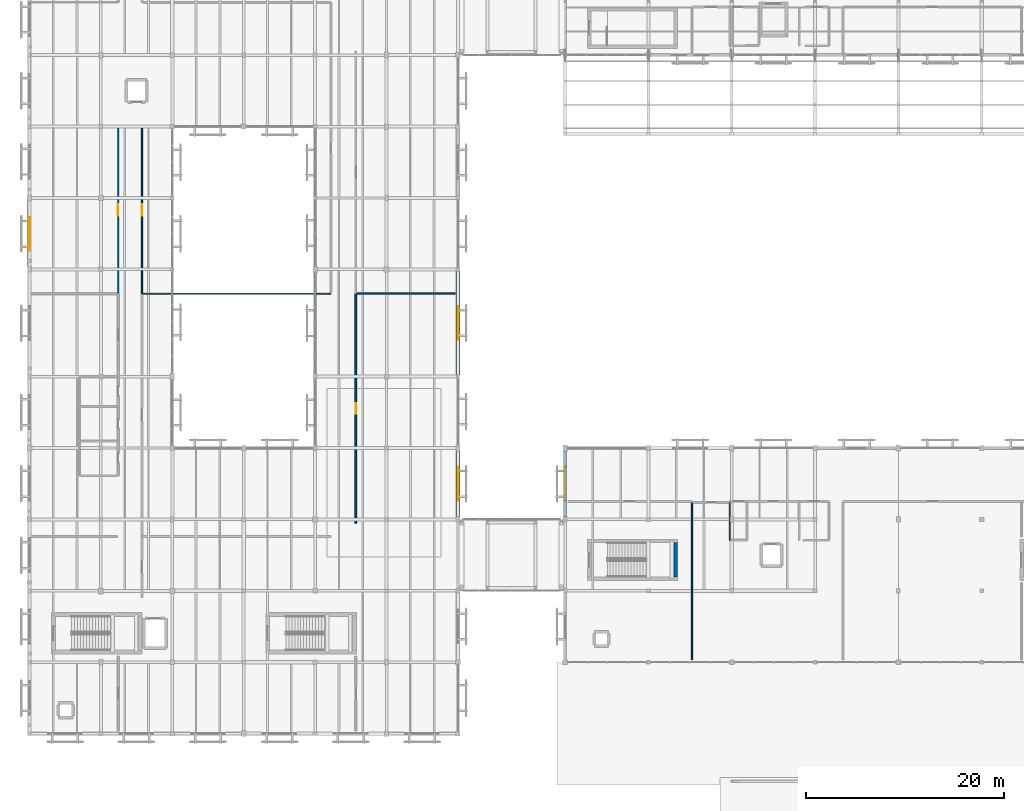
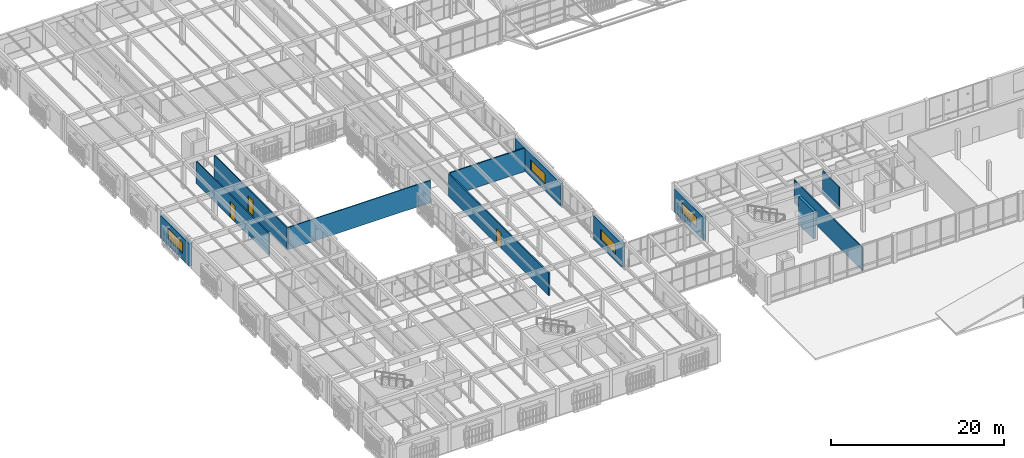
# One storey, part 177 of 217: 12 walls, 4 windows, 3 doors, 7 openings.
"""IFC4 building model written with IfcOpenShell, lengths in metres."""

from ifc_helpers import new_model, si_unit, direction, frame, frame_2d, origin, place, context, subcontext, project, spatial, rectangle, extrude, material, layer, layer_set, type_object, element, fill, save


model = new_model("IFC4")

# Units and contexts
model_context = context("Model", 3, precision=1e-05, world=origin(), true_north=direction((0.0, 1.0)))
body_context = subcontext(model_context, "Body", "Model", "MODEL_VIEW")
ifc_project = project(units=[si_unit("LENGTHUNIT", "METRE"), si_unit("AREAUNIT", "SQUARE_METRE"), si_unit("VOLUMEUNIT", "CUBIC_METRE"), si_unit("PLANEANGLEUNIT", "RADIAN"), si_unit("MASSUNIT", "GRAM", prefix="KILO")], contexts=[model_context])

# Site, building, storey
site_placement = place(None, origin())
site = spatial("IfcSite", under=ifc_project, at=site_placement, CompositionType="ELEMENT")
building_placement = place(site_placement, origin())
building = spatial("IfcBuilding", under=site, at=building_placement, Name="Mazaris Harbour Polytechnic", CompositionType="ELEMENT")
storey_placement = place(building_placement, frame((0.0, 0.0, 9.60009765625)))
storey = spatial("IfcBuildingStorey", under=building, at=storey_placement, Name="L02", CompositionType="ELEMENT", Elevation=9.60009765625)

# Walls
ifc_material_1 = material(Name="Gypsum Board and Mineral Wool")
ifc_layer_1 = layer(ifc_material_1, 0.1201171875, Name="Gypsum Board and Mineral Wool")
ifc_layer_set_1 = layer_set([ifc_layer_1], Name="Gypsum Board and Mineral Wool")
wall_type_1 = type_object("IfcWallType", Name="Acoustic Stud Partition 120", PredefinedType="PARTITIONING", material=ifc_layer_set_1)
wall_1_placement = place(storey_placement, frame((11.469970703125, 51.552978515625, 0.0), z_axis=(0.0, 0.0, 1.0), x_axis=(1.0, 0.0, 0.0)))
element("IfcWall", 1, at=wall_1_placement, inside=storey, type_object=wall_type_1, Name="V4 L02 Partition 389", PredefinedType="PARTITIONING", context=body_context, shape_type="SweptSolid", body=[
    extrude(rectangle(XDim=18.909912109375, YDim=0.1201171875, at=frame_2d((9.455078125, 0.0))), origin(), (0.0, 0.0, 1.0), 3.14990234375),
])
ifc_material_2 = material(Name="Double Gypsum and Mineral Wool")
ifc_layer_2 = layer(ifc_material_2, 0.14990234375, Name="Double Gypsum and Mineral Wool")
ifc_layer_set_2 = layer_set([ifc_layer_2], Name="Double Gypsum and Mineral Wool")
wall_type_2 = type_object("IfcWallType", Name="Classroom Acoustic Partition 150", PredefinedType="PARTITIONING", material=ifc_layer_set_2)
wall_2_placement = place(storey_placement, frame((33.02001953125, 51.552978515625, 0.0), z_axis=(0.0, 0.0, 1.0), x_axis=(1.0, 0.0, 0.0)))
element("IfcWall", 2, at=wall_2_placement, inside=storey, type_object=wall_type_2, Name="V4 L02 Partition 395", PredefinedType="PARTITIONING", context=body_context, shape_type="SweptSolid", body=[
    extrude(rectangle(XDim=9.929931640625, YDim=0.14990234375, at=frame_2d((4.96484375, 0.0))), origin(), (0.0, 0.0, 1.0), 3.309814453125),
])

# Wall, opening, door
ifc_material_3 = material(Name="Fireboard and Mineral Wool")
ifc_layer_3 = layer(ifc_material_3, 0.1650390625, Name="Fireboard and Mineral Wool")
ifc_layer_set_3 = layer_set([ifc_layer_3], Name="Fireboard and Mineral Wool")
wall_type_3 = type_object("IfcWallType", Name="Laboratory Rated Partition 165", PredefinedType="PARTITIONING", material=ifc_layer_set_3)
wall_3_placement = place(storey_placement, frame((32.89990234375, 28.419921875, 0.0), z_axis=(0.0, 0.0, 1.0), x_axis=(0.0, 1.0, 0.0)))
wall_3 = element("IfcWall", 3, at=wall_3_placement, inside=storey, type_object=wall_type_3, Name="V4 L02 Partition 394", PredefinedType="PARTITIONING", context=body_context, shape_type="SweptSolid", body=[
    extrude(rectangle(XDim=23.133056640625, YDim=0.1650390625, at=frame_2d((11.56640625, 0.0))), origin(), (0.0, 0.0, 1.0), 3.2099609375),
])
opening_1_placement = place(wall_3_placement, frame((11.04150390625, 0.0, 0.0)))
opening_1 = element("IfcOpeningElement", 4, at=opening_1_placement, cuts=wall_3, Name="Opening ID-02L", PredefinedType="OPENING", context=body_context, shape_type="SweptSolid", body=[
    extrude(rectangle(XDim=1.050048828125, YDim=2.199951171875, at=frame_2d((0.52490234375, 1.10009765625))), frame((0.0, 0.092529296875, 0.0), z_axis=(0.0, -1.0, 0.0), x_axis=(1.0, 0.0, 0.0)), (0.0, 0.0, 1.0), 0.18505859375),
])
ifc_material_4 = material(Name="Solid Timber and Vision Panel", Category="wood")
door_type_1 = type_object("IfcDoorType", Name="Laboratory Fire Door LH 1050x2200", OperationType="SINGLE_SWING_LEFT", PredefinedType="DOOR", material=ifc_material_4)
door_1_placement = place(opening_1_placement, origin())
door_1 = element("IfcDoor", 5, at=door_1_placement, inside=storey, type_object=door_type_1, Name="ID-0186", OperationType="SINGLE_SWING_LEFT", OverallHeight=2.199951171875, OverallWidth=1.050048828125, PredefinedType="DOOR", context=body_context, shape_type="SweptSolid", body=[
    extrude(rectangle(XDim=1.050048828125, YDim=2.199951171875, at=frame_2d((0.52490234375, 1.10009765625))), frame((0.0, 0.02490234375, 0.0), z_axis=(0.0, -1.0, 0.0), x_axis=(1.0, 0.0, 0.0)), (0.0, 0.0, 1.0), 0.050048828125),
])
fill(opening_1, door_1)

# Wall, opening, window
ifc_material_5 = material(Name="Algerian Buff Limestone and Concrete C30/37", Category="masonry")
ifc_layer_4 = layer(ifc_material_5, 0.360107421875, Name="Algerian Buff Limestone and Concrete C30/37")
ifc_layer_set_4 = layer_set([ifc_layer_4], Name="Algerian Buff Limestone and Concrete C30/37")
wall_type_4 = type_object("IfcWallType", Name="Limestone Ashlar Exterior Wall 360", PredefinedType="STANDARD", material=ifc_layer_set_4)
wall_4_placement = place(storey_placement, frame((0.0, 54.261962890625, 0.0), z_axis=(0.0, 0.0, 1.0), x_axis=(0.0, 1.0, 0.0)))
wall_4 = element("IfcWall", 6, at=wall_4_placement, inside=storey, type_object=wall_type_4, Name="V4 L02 Exterior Wall 205", PredefinedType="STANDARD", context=body_context, shape_type="SweptSolid", body=[
    extrude(rectangle(XDim=6.64599609375, YDim=0.360107421875, at=frame_2d((3.322998046875, 0.0))), origin(), (0.0, 0.0, 1.0), 3.2099609375),
])
opening_2_placement = place(wall_4_placement, frame((1.623046875, 0.0, 0.89990234375)))
opening_2 = element("IfcOpeningElement", 7, at=opening_2_placement, cuts=wall_4, Name="Opening WN-16", PredefinedType="OPENING", context=body_context, shape_type="SweptSolid", body=[
    extrude(rectangle(XDim=3.39990234375, YDim=1.5, at=frame_2d((1.699951171875, 0.75))), frame((0.0, 0.18994140625, 0.0), z_axis=(0.0, -1.0, 0.0), x_axis=(1.0, 0.0, 0.0)), (0.0, 0.0, 1.0), 0.380126953125),
])
ifc_material_6 = material(Name="Thermally Broken Bronze Aluminium and Low-E Glass", Category="aluminium")
window_type = type_object("IfcWindowType", Name="Workshop Clerestory Ribbon 3400x1500", PartitioningType="DOUBLE_PANEL_VERTICAL", PredefinedType="WINDOW", material=ifc_material_6)
window_1_placement = place(opening_2_placement, origin())
window_1 = element("IfcWindow", 8, at=window_1_placement, inside=storey, type_object=window_type, Name="WN-0207", OverallHeight=1.5, OverallWidth=3.39990234375, PartitioningType="DOUBLE_PANEL_VERTICAL", PredefinedType="WINDOW", context=body_context, shape_type="SweptSolid", body=[
    extrude(rectangle(XDim=3.39990234375, YDim=1.5, at=frame_2d((1.699951171875, 0.75))), frame((0.0, 0.030029296875, 0.0), z_axis=(0.0, -1.0, 0.0), x_axis=(1.0, 0.0, 0.0)), (0.0, 0.0, 1.0), 0.06005859375),
])
fill(opening_2, window_1)

wall_5_placement = place(storey_placement, frame((43.199951171875, 35.7080078125, 0.0), z_axis=(0.0, 0.0, 1.0), x_axis=(0.0, -1.0, 0.0)))
wall_5 = element("IfcWall", 9, at=wall_5_placement, inside=storey, type_object=wall_type_4, Name="V4 L02 Exterior Wall 212", PredefinedType="STANDARD", context=body_context, shape_type="SweptSolid", body=[
    extrude(rectangle(XDim=6.64599609375, YDim=0.360107421875, at=frame_2d((3.322998046875, 0.0))), origin(), (0.0, 0.0, 1.0), 3.309814453125),
])
opening_3_placement = place(wall_5_placement, frame((1.623046875, 0.0, 0.89990234375)))
opening_3 = element("IfcOpeningElement", 10, at=opening_3_placement, cuts=wall_5, Name="Opening WN-16", PredefinedType="OPENING", context=body_context, shape_type="SweptSolid", body=[
    extrude(rectangle(XDim=3.39990234375, YDim=1.5, at=frame_2d((1.699951171875, 0.75))), frame((0.0, 0.18994140625, 0.0), z_axis=(0.0, -1.0, 0.0), x_axis=(1.0, 0.0, 0.0)), (0.0, 0.0, 1.0), 0.380126953125),
])
window_2_placement = place(opening_3_placement, origin())
window_2 = element("IfcWindow", 11, at=window_2_placement, inside=storey, type_object=window_type, Name="WN-0214", OverallHeight=1.5, OverallWidth=3.39990234375, PartitioningType="DOUBLE_PANEL_VERTICAL", PredefinedType="WINDOW", context=body_context, shape_type="SweptSolid", body=[
    extrude(rectangle(XDim=3.39990234375, YDim=1.5, at=frame_2d((1.699951171875, 0.75))), frame((0.0, 0.030029296875, 0.0), z_axis=(0.0, -1.0, 0.0), x_axis=(1.0, 0.0, 0.0)), (0.0, 0.0, 1.0), 0.06005859375),
])
fill(opening_3, window_2)

wall_6_placement = place(storey_placement, frame((43.199951171875, 53.818115234375, 0.0), z_axis=(0.0, 0.0, 1.0), x_axis=(0.0, -1.0, 0.0)))
wall_6 = element("IfcWall", 12, at=wall_6_placement, inside=storey, type_object=wall_type_4, Name="V4 L02 Exterior Wall 213", PredefinedType="STANDARD", context=body_context, shape_type="SweptSolid", body=[
    extrude(rectangle(XDim=10.4560546875, YDim=0.360107421875, at=frame_2d((5.22802734375, 0.0))), origin(), (0.0, 0.0, 1.0), 3.2099609375),
])
opening_4_placement = place(wall_6_placement, frame((3.528076171875, 0.0, 0.89990234375)))
opening_4 = element("IfcOpeningElement", 13, at=opening_4_placement, cuts=wall_6, Name="Opening WN-16", PredefinedType="OPENING", context=body_context, shape_type="SweptSolid", body=[
    extrude(rectangle(XDim=3.39990234375, YDim=1.5, at=frame_2d((1.699951171875, 0.75))), frame((0.0, 0.18994140625, 0.0), z_axis=(0.0, -1.0, 0.0), x_axis=(1.0, 0.0, 0.0)), (0.0, 0.0, 1.0), 0.380126953125),
])
window_3_placement = place(opening_4_placement, origin())
window_3 = element("IfcWindow", 14, at=window_3_placement, inside=storey, type_object=window_type, Name="WN-0215", OverallHeight=1.5, OverallWidth=3.39990234375, PartitioningType="DOUBLE_PANEL_VERTICAL", PredefinedType="WINDOW", context=body_context, shape_type="SweptSolid", body=[
    extrude(rectangle(XDim=3.39990234375, YDim=1.5, at=frame_2d((1.699951171875, 0.75))), frame((0.0, 0.030029296875, 0.0), z_axis=(0.0, -1.0, 0.0), x_axis=(1.0, 0.0, 0.0)), (0.0, 0.0, 1.0), 0.06005859375),
])
fill(opening_4, window_3)

ifc_material_7 = material(Name="Algerian Buff Limestone and Mineral Wool", Category="masonry")
ifc_layer_5 = layer(ifc_material_7, 0.330078125, Name="Algerian Buff Limestone and Mineral Wool")
ifc_layer_set_5 = layer_set([ifc_layer_5], Name="Algerian Buff Limestone and Mineral Wool")
wall_type_5 = type_object("IfcWallType", Name="Limestone Cavity Wall 330", PredefinedType="STANDARD", material=ifc_layer_set_5)
wall_7_placement = place(storey_placement, frame((54.0, 29.06201171875, 0.0), z_axis=(0.0, 0.0, 1.0), x_axis=(0.0, 1.0, 0.0)))
wall_7 = element("IfcWall", 15, at=wall_7_placement, inside=storey, type_object=wall_type_5, Name="V3 L02 Exterior Wall 121", PredefinedType="STANDARD", context=body_context, shape_type="SweptSolid", body=[
    extrude(rectangle(XDim=6.64599609375, YDim=0.330078125, at=frame_2d((3.322998046875, 0.0))), origin(), (0.0, 0.0, 1.0), 3.294921875),
])
opening_5_placement = place(wall_7_placement, frame((1.623046875, 0.0, 0.89990234375)))
opening_5 = element("IfcOpeningElement", 16, at=opening_5_placement, cuts=wall_7, Name="Opening WN-16", PredefinedType="OPENING", context=body_context, shape_type="SweptSolid", body=[
    extrude(rectangle(XDim=3.39990234375, YDim=1.5, at=frame_2d((1.699951171875, 0.75))), frame((0.0, 0.175048828125, 0.0), z_axis=(0.0, -1.0, 0.0), x_axis=(1.0, 0.0, 0.0)), (0.0, 0.0, 1.0), 0.35009765625),
])
window_4_placement = place(opening_5_placement, origin())
window_4 = element("IfcWindow", 17, at=window_4_placement, inside=storey, type_object=window_type, Name="WN-0128", OverallHeight=1.5, OverallWidth=3.39990234375, PartitioningType="DOUBLE_PANEL_VERTICAL", PredefinedType="WINDOW", context=body_context, shape_type="SweptSolid", body=[
    extrude(rectangle(XDim=3.39990234375, YDim=1.5, at=frame_2d((1.699951171875, 0.75))), frame((0.0, 0.030029296875, 0.0), z_axis=(0.0, -1.0, 0.0), x_axis=(1.0, 0.0, 0.0)), (0.0, 0.0, 1.0), 0.06005859375),
])
fill(opening_5, window_4)

# Walls
ifc_material_8 = material(Name="Concrete C40/50", Category="concrete")
ifc_layer_6 = layer(ifc_material_8, 0.35009765625, Name="Concrete C40/50")
ifc_layer_set_6 = layer_set([ifc_layer_6], Name="Concrete C40/50")
wall_type_6 = type_object("IfcWallType", Name="RC Core Shear Wall 350", PredefinedType="SHEAR", material=ifc_layer_set_6)
wall_8_placement = place(storey_placement, frame((65.175048828125, 23.0, 0.0), z_axis=(0.0, 0.0, 1.0), x_axis=(0.0, 1.0, 0.0)))
element("IfcWall", 18, at=wall_8_placement, inside=storey, type_object=wall_type_6, Name="Core ST05 L02 Shear Wall E", PredefinedType="SHEAR", context=body_context, shape_type="SweptSolid", body=[
    extrude(rectangle(XDim=3.449951171875, YDim=0.35009765625, at=frame_2d((1.72509765625, 0.0))), origin(), (0.0, 0.0, 1.0), 3.934814453125),
])
ifc_material_9 = material(Name="Moisture-Resistant Gypsum and Steel Stud", Category="steel")
ifc_layer_7 = layer(ifc_material_9, 0.14501953125, Name="Moisture-Resistant Gypsum and Steel Stud")
ifc_layer_set_7 = layer_set([ifc_layer_7], Name="Moisture-Resistant Gypsum and Steel Stud")
wall_type_7 = type_object("IfcWallType", Name="Sanitary Plumbing Wall 145", PredefinedType="PLUMBINGWALL", material=ifc_layer_set_7)
wall_9_placement = place(storey_placement, frame((70.60009765625, 26.699951171875, 0.0), z_axis=(0.0, 0.0, 1.0), x_axis=(0.0, 1.0, 0.0)))
element("IfcWall", 19, at=wall_9_placement, inside=storey, type_object=wall_type_7, Name="V3 L02 Partition 221", PredefinedType="PLUMBINGWALL", context=body_context, shape_type="SweptSolid", body=[
    extrude(rectangle(XDim=3.780029296875, YDim=0.14501953125, at=frame_2d((1.89013671875, 0.0))), origin(), (0.0, 0.0, 1.0), 3.19482421875),
])
ifc_material_10 = material(Name="Gypsum Board and Mineral Wool")
ifc_layer_8 = layer(ifc_material_10, 0.135009765625, Name="Gypsum Board and Mineral Wool")
ifc_layer_set_8 = layer_set([ifc_layer_8], Name="Gypsum Board and Mineral Wool")
wall_type_8 = type_object("IfcWallType", Name="Studio Partition Wall 135", PredefinedType="PARTITIONING", material=ifc_layer_set_8)
wall_10_placement = place(storey_placement, frame((66.7890625, 14.64990234375, 0.0), z_axis=(0.0, 0.0, 1.0), x_axis=(0.0, 1.0, 0.0)))
element("IfcWall", 20, at=wall_10_placement, inside=storey, type_object=wall_type_8, Name="V3 L02 Partition 227", PredefinedType="PARTITIONING", context=body_context, shape_type="SweptSolid", body=[
    extrude(rectangle(XDim=15.830078125, YDim=0.135009765625, at=frame_2d((7.9150390625, 0.0))), origin(), (0.0, 0.0, 1.0), 3.2548828125),
])

# Wall, opening, door
wall_11_placement = place(storey_placement, frame((8.949951171875, 51.55810546875, 0.0), z_axis=(0.0, 0.0, 1.0), x_axis=(0.0, 1.0, 0.0)))
wall_11 = element("IfcWall", 21, at=wall_11_placement, inside=storey, type_object=wall_type_8, Name="V4 L02 Partition 383", PredefinedType="PARTITIONING", context=body_context, shape_type="SweptSolid", body=[
    extrude(rectangle(XDim=16.8369140625, YDim=0.135009765625, at=frame_2d((8.41845703125, 0.0))), origin(), (0.0, 0.0, 1.0), 3.14990234375),
])
opening_6_placement = place(wall_11_placement, frame((7.83837890625, 0.0, 0.0)))
opening_6 = element("IfcOpeningElement", 22, at=opening_6_placement, cuts=wall_11, Name="Opening ID-03R", PredefinedType="OPENING", context=body_context, shape_type="SweptSolid", body=[
    extrude(rectangle(XDim=1.159912109375, YDim=2.199951171875, at=frame_2d((0.580078125, 1.10009765625))), frame((0.0, 0.077392578125, 0.0), z_axis=(0.0, -1.0, 0.0), x_axis=(1.0, 0.0, 0.0)), (0.0, 0.0, 1.0), 0.155029296875),
])
ifc_material_11 = material(Name="Glulam Timber and Acoustic Glass", Category="wood")
door_type_2 = type_object("IfcDoorType", Name="Design Studio Door RH 1160x2200", OperationType="SINGLE_SWING_RIGHT", PredefinedType="DOOR", material=ifc_material_11)
door_2_placement = place(opening_6_placement, origin())
door_2 = element("IfcDoor", 23, at=door_2_placement, inside=storey, type_object=door_type_2, Name="ID-0179", OperationType="SINGLE_SWING_RIGHT", OverallHeight=2.199951171875, OverallWidth=1.159912109375, PredefinedType="DOOR", context=body_context, shape_type="SweptSolid", body=[
    extrude(rectangle(XDim=1.159912109375, YDim=2.199951171875, at=frame_2d((0.580078125, 1.10009765625))), frame((0.0, 0.02490234375, 0.0), z_axis=(0.0, -1.0, 0.0), x_axis=(1.0, 0.0, 0.0)), (0.0, 0.0, 1.0), 0.050048828125),
])
fill(opening_6, door_2)

wall_12_placement = place(storey_placement, frame((11.35009765625, 51.55810546875, 0.0), z_axis=(0.0, 0.0, 1.0), x_axis=(0.0, 1.0, 0.0)))
wall_12 = element("IfcWall", 24, at=wall_12_placement, inside=storey, type_object=wall_type_8, Name="V4 L02 Partition 390", PredefinedType="PARTITIONING", context=body_context, shape_type="SweptSolid", body=[
    extrude(rectangle(XDim=16.8369140625, YDim=0.135009765625, at=frame_2d((8.41845703125, 0.0))), origin(), (0.0, 0.0, 1.0), 3.14990234375),
])
opening_7_placement = place(wall_12_placement, frame((7.83837890625, 0.0, 0.0)))
opening_7 = element("IfcOpeningElement", 25, at=opening_7_placement, cuts=wall_12, Name="Opening ID-03R", PredefinedType="OPENING", context=body_context, shape_type="SweptSolid", body=[
    extrude(rectangle(XDim=1.159912109375, YDim=2.199951171875, at=frame_2d((0.580078125, 1.10009765625))), frame((0.0, 0.077392578125, 0.0), z_axis=(0.0, -1.0, 0.0), x_axis=(1.0, 0.0, 0.0)), (0.0, 0.0, 1.0), 0.155029296875),
])
door_3_placement = place(opening_7_placement, origin())
door_3 = element("IfcDoor", 26, at=door_3_placement, inside=storey, type_object=door_type_2, Name="ID-0183", OperationType="SINGLE_SWING_RIGHT", OverallHeight=2.199951171875, OverallWidth=1.159912109375, PredefinedType="DOOR", context=body_context, shape_type="SweptSolid", body=[
    extrude(rectangle(XDim=1.159912109375, YDim=2.199951171875, at=frame_2d((0.580078125, 1.10009765625))), frame((0.0, 0.02490234375, 0.0), z_axis=(0.0, -1.0, 0.0), x_axis=(1.0, 0.0, 0.0)), (0.0, 0.0, 1.0), 0.050048828125),
])
fill(opening_7, door_3)

save(model, "model.ifc")
